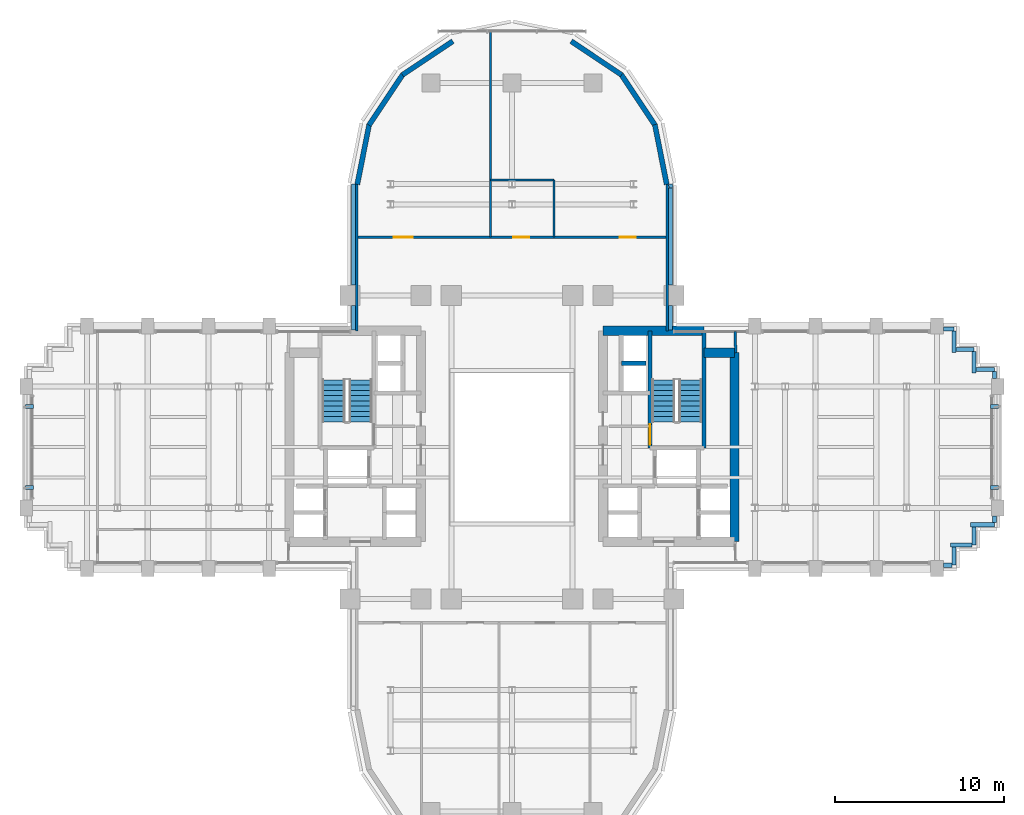
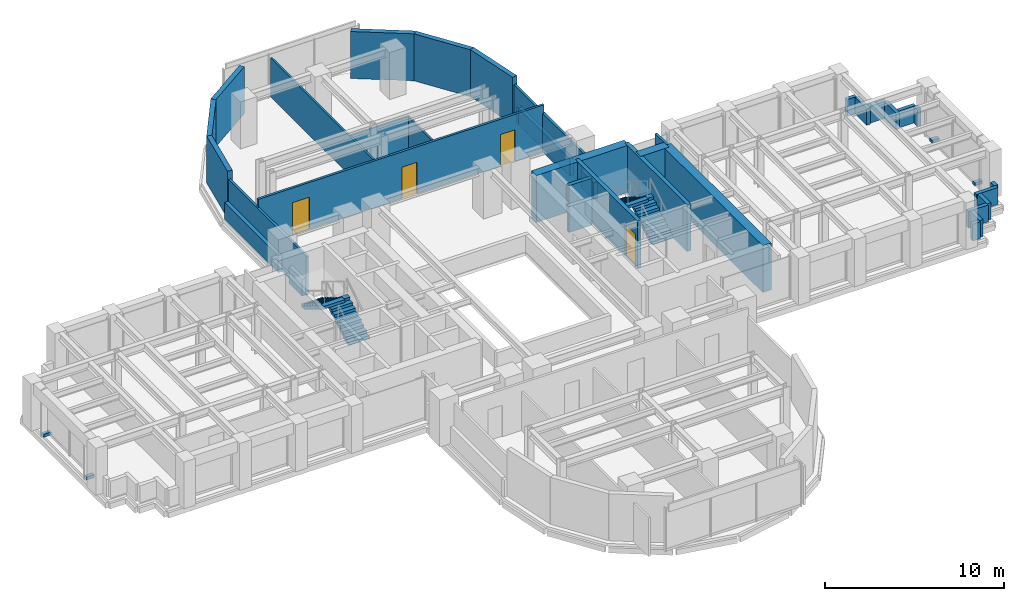
# One storey, part 12 of 16: 36 walls, 4 discrete accessories, 4 doors, 4 stair flights, 4 openings, 2 elements without a shape of their own.
"""IFC4 building model written with IfcOpenShell, lengths in metres."""

from ifc_helpers import new_model, si_unit, direction, frame, frame_2d, origin, origin_2d, place, context, subcontext, project, spatial, polyline, rectangle, outline, extrude, source, transform, mapped, material, layer, layer_set, type_object, element, fill, aggregate, save


model = new_model("IFC4")

# Units and contexts
model_context = context("Model", 3, precision=1e-05, world=origin(), true_north=direction((0.0, 1.0)))
body_context = subcontext(model_context, "Body", "Model", "MODEL_VIEW")
ifc_project = project(units=[si_unit("LENGTHUNIT", "METRE"), si_unit("AREAUNIT", "SQUARE_METRE"), si_unit("VOLUMEUNIT", "CUBIC_METRE"), si_unit("PLANEANGLEUNIT", "RADIAN"), si_unit("MASSUNIT", "GRAM", prefix="KILO")], contexts=[model_context])

# Site, building, storey
site_placement = place(None, origin())
site = spatial("IfcSite", under=ifc_project, at=site_placement, CompositionType="ELEMENT")
building_placement = place(site_placement, origin())
building = spatial("IfcBuilding", under=site, at=building_placement, Name="Keilestroom Media Tower", CompositionType="ELEMENT")
storey_placement = place(building_placement, frame((0.0, 0.0, 78.199951171875)))
storey = spatial("IfcBuildingStorey", under=building, at=storey_placement, Name="L20", CompositionType="ELEMENT", Elevation=78.199951171875)

# Walls
ifc_material_1 = material(Name="Precast concrete C40/50", Category="concrete")
ifc_layer_1 = layer(ifc_material_1, 0.300048828125)
ifc_layer_set_1 = layer_set([ifc_layer_1], Name="Precast concrete C40/50")
wall_type_1 = type_object("IfcWallType", Name="Exterior-Masonry-Spandrel-Wall-300", PredefinedType="SOLIDWALL", material=ifc_layer_set_1)
for number, where, z_axis, x_axis, name in (
    (1, (9.1748046875, 15.585205078125, 0.0), (0.0, 0.0, 1.0), (-0.195114232679, 0.980780523974, 0.0), "L20 Lobe Facet Precast Frame Wall 01"),
    (2, (8.48193359375, 19.097412109375, 0.0), (0.0, 0.0, 1.0), (-0.555574187116, 0.831466970246, 0.0), "L20 Lobe Facet Precast Frame Wall 02"),
):
    element("IfcWall", number, at=place(storey_placement, frame(where, z_axis=z_axis, x_axis=x_axis)), inside=storey, type_object=wall_type_1, Name=name, PredefinedType="SOLIDWALL", context=body_context, shape_type="SweptSolid", body=[
        extrude(rectangle(XDim=3.608642578125, YDim=0.300048828125, at=frame_2d((1.80419921875, 0.0))), origin(), (0.0, 0.0, 1.0), 3.199951171875),
    ])
for number, where, z_axis, x_axis, name in (
    (3, (6.497802734375, 22.0771484375, 0.0), (0.0, 0.0, 1.0), (-0.8314749531, 0.555562239868, 0.0), "L20 Lobe Facet Precast Frame Wall 03"),
    (4, (-3.510009765625, 24.073486328125, 0.0), (0.0, 0.0, 1.0), (-0.8314749531, -0.555562239868, 0.0), "L20 Lobe Facet Precast Frame Wall 04"),
):
    element("IfcWall", number, at=place(storey_placement, frame(where, z_axis=z_axis, x_axis=x_axis)), inside=storey, type_object=wall_type_1, Name=name, PredefinedType="SOLIDWALL", context=body_context, shape_type="SweptSolid", body=[
        extrude(rectangle(XDim=3.59326171875, YDim=0.300048828125, at=frame_2d((1.796630859375, 0.0))), origin(), (0.0, 0.0, 1.0), 3.199951171875),
    ])
for number, where, z_axis, x_axis, name in (
    (5, (-6.47705078125, 22.097900390625, 0.0), (0.0, 0.0, 1.0), (-0.555574187116, -0.831466970246, 0.0), "L20 Lobe Facet Precast Frame Wall 05"),
    (6, (-8.470703125, 19.12451171875, 0.0), (0.0, 0.0, 1.0), (-0.195114232679, -0.980780523974, 0.0), "L20 Lobe Facet Precast Frame Wall 06"),
):
    element("IfcWall", number, at=place(storey_placement, frame(where, z_axis=z_axis, x_axis=x_axis)), inside=storey, type_object=wall_type_1, Name=name, PredefinedType="SOLIDWALL", context=body_context, shape_type="SweptSolid", body=[
        extrude(rectangle(XDim=3.608642578125, YDim=0.300048828125, at=frame_2d((1.80419921875, 0.0))), origin(), (0.0, 0.0, 1.0), 3.199951171875),
    ])
ifc_material_2 = material(Name="Gypsum Plasterboard & Steel Stud", Category="steel")
ifc_layer_2 = layer(ifc_material_2, 0.1201171875)
ifc_layer_set_2 = layer_set([ifc_layer_2], Name="Gypsum Plasterboard & Steel Stud")
wall_type_2 = type_object("IfcWallType", Name="Interior-Partition-Wall-120", PredefinedType="PARTITIONING", material=ifc_layer_set_2)
wall_1_placement = place(storey_placement, frame((-1.280029296875, 12.449951171875, 0.0), z_axis=(0.0, 0.0, 1.0), x_axis=(0.0, 1.0, 0.0)))
element("IfcWall", 7, at=wall_1_placement, inside=storey, type_object=wall_type_2, Name="L20 Interior Wall WP-L20-NL-V1", PredefinedType="PARTITIONING", context=body_context, shape_type="SweptSolid", body=[
    extrude(rectangle(XDim=12.199951171875, YDim=0.1201171875, at=frame_2d((6.10009765625, 0.0))), origin(), (0.0, 0.0, 1.0), 2.650146484375),
])
wall_2_placement = place(storey_placement, frame((-1.280029296875, 15.85009765625, 0.0), z_axis=(0.0, 0.0, 1.0), x_axis=(1.0, 0.0, 0.0)))
element("IfcWall", 8, at=wall_2_placement, inside=storey, type_object=wall_type_2, Name="L20 Interior Wall WP-L20-NL-WC-N", PredefinedType="PARTITIONING", context=body_context, shape_type="SweptSolid", body=[
    extrude(rectangle(XDim=3.780029296875, YDim=0.1201171875, at=frame_2d((1.89013671875, 0.0))), origin(), (0.0, 0.0, 1.0), 2.699951171875),
])
wall_3_placement = place(storey_placement, frame((2.5, 12.449951171875, 0.0), z_axis=(0.0, 0.0, 1.0), x_axis=(0.0, 1.0, 0.0)))
element("IfcWall", 9, at=wall_3_placement, inside=storey, type_object=wall_type_2, Name="L20 Interior Wall WP-L20-NL-WC-E", PredefinedType="PARTITIONING", context=body_context, shape_type="SweptSolid", body=[
    extrude(rectangle(XDim=3.400146484375, YDim=0.1201171875, at=frame_2d((1.7001953125, 0.0))), origin(), (0.0, 0.0, 1.0), 2.650146484375),
])

# Wall, openings, doors
ifc_layer_3 = layer(ifc_material_2, 0.14990234375)
ifc_layer_set_3 = layer_set([ifc_layer_3], Name="Gypsum Plasterboard & Steel Stud")
wall_type_3 = type_object("IfcWallType", Name="Interior-Partition-Wall-150", PredefinedType="PARTITIONING", material=ifc_layer_set_3)
wall_4_placement = place(storey_placement, frame((-9.199951171875, 12.449951171875, 0.0), z_axis=(0.0, 0.0, 1.0), x_axis=(1.0, 0.0, 0.0)))
wall_4 = element("IfcWall", 10, at=wall_4_placement, inside=storey, type_object=wall_type_3, Name="L20 Interior Wall WP-L20-NL-BASE", PredefinedType="PARTITIONING", context=body_context, shape_type="SweptSolid", body=[
    extrude(rectangle(XDim=18.39990234375, YDim=0.14990234375, at=frame_2d((9.199951171875, 0.0))), origin(), (0.0, 0.0, 1.0), 3.199951171875),
])
opening_1_placement = place(wall_4_placement, frame((9.27001953125, 0.0, 0.0)))
opening_1 = element("IfcOpeningElement", 11, at=opening_1_placement, cuts=wall_4, Name="Opening DI-03", PredefinedType="OPENING", context=body_context, shape_type="SweptSolid", body=[
    extrude(rectangle(XDim=0.949951171875, YDim=2.14990234375, at=frame_2d((0.47509765625, 1.074951171875))), frame((0.0, 0.0849609375, 0.0), z_axis=(0.0, -1.0, 0.0), x_axis=(1.0, 0.0, 0.0)), (0.0, 0.0, 1.0), 0.169921875),
])
opening_2_placement = place(wall_4_placement, frame((2.199951171875, 0.0, 0.0)))
opening_2 = element("IfcOpeningElement", 12, at=opening_2_placement, cuts=wall_4, Name="Opening DI-04", PredefinedType="OPENING", context=body_context, shape_type="SweptSolid", body=[
    extrude(rectangle(XDim=1.10009765625, YDim=2.199951171875, at=frame_2d((0.550048828125, 1.10009765625))), frame((0.0, 0.0849609375, 0.0), z_axis=(0.0, -1.0, 0.0), x_axis=(1.0, 0.0, 0.0)), (0.0, 0.0, 1.0), 0.169921875),
])
opening_3_placement = place(wall_4_placement, frame((15.60009765625, 0.0, 0.0)))
opening_3 = element("IfcOpeningElement", 13, at=opening_3_placement, cuts=wall_4, Name="Opening DI-03", PredefinedType="OPENING", context=body_context, shape_type="SweptSolid", body=[
    extrude(rectangle(XDim=0.949951171875, YDim=2.14990234375, at=frame_2d((0.47509765625, 1.074951171875))), frame((0.0, 0.0849609375, 0.0), z_axis=(0.0, -1.0, 0.0), x_axis=(1.0, 0.0, 0.0)), (0.0, 0.0, 1.0), 0.169921875),
])
ifc_material_3 = material(Name="Lacquered European Oak Leaf", Category="wood")
door_type_1 = type_object("IfcDoorType", Name="Interior-Room-And-Suite-Door-DI-03", OperationType="NOTDEFINED", PredefinedType="DOOR", material=ifc_material_3)
shared_shape_1 = source(origin(), body_context, "Body", "SweptSolid", [
    extrude(rectangle(XDim=0.949951171875, YDim=2.14990234375, at=frame_2d((0.47509765625, 1.074951171875))), frame((0.0, 0.02490234375, 0.0), z_axis=(0.0, -1.0, 0.0), x_axis=(1.0, 0.0, 0.0)), (0.0, 0.0, 1.0), 0.050048828125),
])
door_1_placement = place(opening_1_placement, origin())
door_1 = element("IfcDoor", 14, at=door_1_placement, inside=storey, type_object=door_type_1, Name="L20 Interior Door DI-L20-DNL-WC", OperationType="SINGLE_SWING_LEFT", OverallHeight=2.14990234375, OverallWidth=0.949951171875, PredefinedType="DOOR", context=body_context, shape_type="MappedRepresentation", body=[
    mapped(shared_shape_1, transform((0.0, 0.0, 0.0), x_axis=(1.0, 0.0, 0.0), y_axis=(0.0, 1.0, 0.0), z_axis=(0.0, 0.0, 1.0), scale=1.0)),
])
fill(opening_1, door_1)
door_2_placement = place(opening_3_placement, origin())
door_2 = element("IfcDoor", 15, at=door_2_placement, inside=storey, type_object=door_type_1, Name="L20 Interior Door DI-L20-DNL-B", OperationType="SINGLE_SWING_LEFT", OverallHeight=2.14990234375, OverallWidth=0.949951171875, PredefinedType="DOOR", context=body_context, shape_type="MappedRepresentation", body=[
    mapped(shared_shape_1, transform((0.0, 0.0, 0.0), x_axis=(1.0, 0.0, 0.0), y_axis=(0.0, 1.0, 0.0), z_axis=(0.0, 0.0, 1.0), scale=1.0)),
])
fill(opening_3, door_2)
ifc_material_4 = material(Name="Acoustic Glazed Aluminium Leaf", Category="aluminium")
door_type_2 = type_object("IfcDoorType", Name="Interior-Room-And-Suite-Door-DI-04", OperationType="NOTDEFINED", PredefinedType="DOOR", material=ifc_material_4)
shared_shape_2 = source(origin(), body_context, "Body", "SweptSolid", [
    extrude(rectangle(XDim=1.10009765625, YDim=2.199951171875, at=frame_2d((0.550048828125, 1.10009765625))), frame((0.0, 0.02490234375, 0.0), z_axis=(0.0, -1.0, 0.0), x_axis=(1.0, 0.0, 0.0)), (0.0, 0.0, 1.0), 0.050048828125),
])
door_3_placement = place(opening_2_placement, origin())
door_3 = element("IfcDoor", 16, at=door_3_placement, inside=storey, type_object=door_type_2, Name="L20 Interior Door DI-L20-DNL-A", OperationType="SINGLE_SWING_RIGHT", OverallHeight=2.199951171875, OverallWidth=1.10009765625, PredefinedType="DOOR", context=body_context, shape_type="MappedRepresentation", body=[
    mapped(shared_shape_2, transform((0.0, 0.0, 0.0), x_axis=(1.0, 0.0, 0.0), y_axis=(0.0, 1.0, 0.0), z_axis=(0.0, 0.0, 1.0), scale=1.0)),
])
fill(opening_2, door_3)

# Walls
for number, where, z_axis, x_axis, name in (
    (17, (-9.199951171875, 6.89990234375, 0.0), (0.0, 0.0, 1.0), (0.0, 1.0, 0.0), "L20 Interior Wall WP-L20-NL-CHKW"),
    (18, (9.199951171875, 6.89990234375, 0.0), (0.0, 0.0, 1.0), (0.0, 1.0, 0.0), "L20 Interior Wall WP-L20-NL-CHKE"),
):
    element("IfcWall", number, at=place(storey_placement, frame(where, z_axis=z_axis, x_axis=x_axis)), inside=storey, type_object=wall_type_3, Name=name, PredefinedType="PARTITIONING", context=body_context, shape_type="SweptSolid", body=[
        extrude(rectangle(XDim=8.780029296875, YDim=0.14990234375, at=frame_2d((4.39013671875, 0.0))), origin(), (0.0, 0.0, 1.0), 2.650146484375),
    ])
wall_5_placement = place(storey_placement, frame((13.260009765625, 5.60009765625, 0.0), z_axis=(0.0, 0.0, 1.0), x_axis=(-0.016013571389, 0.999871774545, 0.0)))
element("IfcWall", 19, at=wall_5_placement, inside=storey, type_object=wall_type_3, Name="L20 Interior Wall WP-L20-EA-ENTN", PredefinedType="PARTITIONING", context=body_context, shape_type="SweptSolid", body=[
    extrude(rectangle(XDim=1.250244140625, YDim=0.14990234375, at=frame_2d((0.625, 0.0))), origin(), (0.0, 0.0, 1.0), 3.199951171875),
])
ifc_material_5 = material(Name="Concrete C70/85", Category="concrete")
ifc_layer_4 = layer(ifc_material_5, 0.550048828125)
ifc_layer_set_4 = layer_set([ifc_layer_4], Name="Concrete C70/85")
wall_type_4 = type_object("IfcWallType", Name="Reinforced-Concrete-Core-Shear-Wall-550", PredefinedType="SHEAR", material=ifc_layer_set_4)
wall_6_placement = place(storey_placement, frame((13.199951171875, -5.60009765625, 0.0), z_axis=(0.0, 0.0, 1.0), x_axis=(0.0, 1.0, 0.0)))
element("IfcWall", 20, at=wall_6_placement, inside=storey, type_object=wall_type_4, Name="L20 Core Shear Wall WL-L20-CORE-E-OUT", PredefinedType="SHEAR", context=body_context, shape_type="SweptSolid", body=[
    extrude(rectangle(XDim=11.2001953125, YDim=0.550048828125, at=frame_2d((5.60009765625, 0.0))), origin(), (0.0, 0.0, 1.0), 3.199951171875),
])
wall_7_placement = place(storey_placement, frame((5.39990234375, 6.89990234375, 0.0), z_axis=(0.0, 0.0, 1.0), x_axis=(1.0, 0.0, 0.0)))
element("IfcWall", 21, at=wall_7_placement, inside=storey, type_object=wall_type_4, Name="L20 Core Shear Wall WL-L20-CORE-E-N", PredefinedType="SHEAR", context=body_context, shape_type="SweptSolid", body=[
    extrude(rectangle(XDim=5.981201171875, YDim=0.550048828125, at=frame_2d((2.99072265625, 0.0))), origin(), (0.0, 0.0, 1.0), 3.199951171875),
])
wall_8_placement = place(storey_placement, frame((11.381103515625, 5.60009765625, 0.0), z_axis=(0.0, 0.0, 1.0), x_axis=(1.0, 0.0, 0.0)))
element("IfcWall", 22, at=wall_8_placement, inside=storey, type_object=wall_type_4, Name="L20 Core Shear Wall WL-L20-CNE-N", PredefinedType="SHEAR", context=body_context, shape_type="SweptSolid", body=[
    extrude(rectangle(XDim=1.81884765625, YDim=0.550048828125, at=frame_2d((0.909423828125, 0.0))), origin(), (0.0, 0.0, 1.0), 3.199951171875),
])

# Wall, opening, door
ifc_material_6 = material(Name="Concrete C50/60", Category="concrete")
ifc_layer_5 = layer(ifc_material_6, 0.25)
ifc_layer_set_5 = layer_set([ifc_layer_5], Name="Concrete C50/60")
wall_type_5 = type_object("IfcWallType", Name="Reinforced-Concrete-Shaft-Wall-250", PredefinedType="SOLIDWALL", material=ifc_layer_set_5)
wall_9_placement = place(storey_placement, frame((8.178955078125, -0.041015625, 0.0), z_axis=(0.0, 0.0, 1.0), x_axis=(0.0, 1.0, 0.0)))
wall_9 = element("IfcWall", 23, at=wall_9_placement, inside=storey, type_object=wall_type_5, Name="L20 Core Shear Wall WL-L20-STW-E-NEAR", PredefinedType="SOLIDWALL", context=body_context, shape_type="SweptSolid", body=[
    extrude(rectangle(XDim=6.94091796875, YDim=0.25, at=frame_2d((3.470458984375, 0.0))), origin(), (0.0, 0.0, 1.0), 3.199951171875),
])
opening_4_placement = place(wall_9_placement, frame((0.199951171875, 0.0, 0.0)))
opening_4 = element("IfcOpeningElement", 24, at=opening_4_placement, cuts=wall_9, Name="Opening DI-01S", PredefinedType="OPENING", context=body_context, shape_type="SweptSolid", body=[
    extrude(rectangle(XDim=1.199951171875, YDim=2.199951171875, at=frame_2d((0.60009765625, 1.10009765625))), frame((0.0, 0.135009765625, 0.0), z_axis=(0.0, -1.0, 0.0), x_axis=(1.0, 0.0, 0.0)), (0.0, 0.0, 1.0), 0.27001953125),
])
ifc_material_7 = material(Name="Powder-Coated Steel Fire Leaf", Category="steel")
door_type_3 = type_object("IfcDoorType", Name="Interior-Stair-And-Core-Fire-Door-DI-01", OperationType="NOTDEFINED", PredefinedType="DOOR", material=ifc_material_7)
shared_shape_3 = source(origin(), body_context, "Body", "SweptSolid", [
    extrude(rectangle(XDim=1.199951171875, YDim=2.199951171875, at=frame_2d((0.60009765625, 1.10009765625))), frame((0.0, 0.02490234375, 0.0), z_axis=(0.0, -1.0, 0.0), x_axis=(1.0, 0.0, 0.0)), (0.0, 0.0, 1.0), 0.050048828125),
])
door_4_placement = place(opening_4_placement, origin())
door_4 = element("IfcDoor", 25, at=door_4_placement, inside=storey, type_object=door_type_3, Name="L20 Escape Stair ST-2 Fire Door", OperationType="SINGLE_SWING_RIGHT", OverallHeight=2.199951171875, OverallWidth=1.199951171875, PredefinedType="DOOR", context=body_context, shape_type="MappedRepresentation", body=[
    mapped(shared_shape_3, transform((0.0, 0.0, 0.0), x_axis=(1.0, 0.0, 0.0), y_axis=(0.0, 1.0, 0.0), z_axis=(0.0, 0.0, 1.0), scale=1.0)),
])
fill(opening_4, door_4)

# Walls
wall_10_placement = place(storey_placement, frame((11.381103515625, -0.041015625, 0.0), z_axis=(0.0, 0.0, 1.0), x_axis=(0.0, 1.0, 0.0)))
element("IfcWall", 26, at=wall_10_placement, inside=storey, type_object=wall_type_5, Name="L20 Core Shear Wall WL-L20-STW-E-FAR", PredefinedType="SOLIDWALL", context=body_context, shape_type="SweptSolid", body=[
    extrude(rectangle(XDim=6.94091796875, YDim=0.25, at=frame_2d((3.470458984375, 0.0))), origin(), (0.0, 0.0, 1.0), 3.199951171875),
])
wall_11_placement = place(storey_placement, frame((6.47998046875, 4.97998046875, 0.0), z_axis=(0.0, 0.0, 1.0), x_axis=(1.0, 0.0, 0.0)))
element("IfcWall", 27, at=wall_11_placement, inside=storey, type_object=wall_type_5, Name="L20 Core Shear Wall WL-L20-LSH-PL-H3-N", PredefinedType="SOLIDWALL", context=body_context, shape_type="SweptSolid", body=[
    extrude(rectangle(XDim=1.469970703125, YDim=0.25, at=frame_2d((0.73486328125, 0.0))), origin(), (0.0, 0.0, 1.0), 3.199951171875),
])
ifc_layer_6 = layer(ifc_material_1, 0.239990234375)
ifc_layer_set_6 = layer_set([ifc_layer_6], Name="Precast concrete C40/50")
wall_type_6 = type_object("IfcWallType", Name="Roof-And-Terrace-Parapet-Wall-240", PredefinedType="PARAPET", material=ifc_layer_set_6)
wall_12_placement = place(storey_placement, frame((28.60009765625, -4.60009765625, 0.0), z_axis=(0.0, 0.0, 1.0), x_axis=(-1.0, 0.0, 0.0)))
element("IfcWall", 28, at=wall_12_placement, inside=storey, type_object=wall_type_6, Name="L20 Perimeter Edge Parapet Wall 01", PredefinedType="PARAPET", context=body_context, shape_type="SweptSolid", body=[
    extrude(rectangle(XDim=1.400146484375, YDim=0.239990234375, at=frame_2d((0.7001953125, 0.0))), origin(), (0.0, 0.0, 1.0), 1.150146484375),
])
wall_13_placement = place(storey_placement, frame((27.39990234375, -4.722900390625, 0.0), z_axis=(0.0, 0.0, 1.0), x_axis=(0.0, -1.0, 0.0)))
element("IfcWall", 29, at=wall_13_placement, inside=storey, type_object=wall_type_6, Name="L20 Perimeter Edge Parapet Wall 02", PredefinedType="PARAPET", context=body_context, shape_type="SweptSolid", body=[
    extrude(rectangle(XDim=1.0771484375, YDim=0.239990234375, at=frame_2d((0.53857421875, 0.0))), origin(), (0.0, 0.0, 1.0), 1.150146484375),
])
wall_14_placement = place(storey_placement, frame((27.277099609375, -5.800048828125, 0.0), z_axis=(0.0, 0.0, 1.0), x_axis=(-1.0, 0.0, 0.0)))
element("IfcWall", 30, at=wall_14_placement, inside=storey, type_object=wall_type_6, Name="L20 Perimeter Edge Parapet Wall 03", PredefinedType="PARAPET", context=body_context, shape_type="SweptSolid", body=[
    extrude(rectangle(XDim=1.277099609375, YDim=0.239990234375, at=frame_2d((0.638671875, 0.0))), origin(), (0.0, 0.0, 1.0), 1.150146484375),
])
wall_15_placement = place(storey_placement, frame((26.199951171875, -5.923095703125, 0.0), z_axis=(0.0, 0.0, 1.0), x_axis=(0.0, -1.0, 0.0)))
element("IfcWall", 31, at=wall_15_placement, inside=storey, type_object=wall_type_6, Name="L20 Perimeter Edge Parapet Wall 04", PredefinedType="PARAPET", context=body_context, shape_type="SweptSolid", body=[
    extrude(rectangle(XDim=1.076904296875, YDim=0.239990234375, at=frame_2d((0.53857421875, 0.0))), origin(), (0.0, 0.0, 1.0), 1.150146484375),
])
wall_16_placement = place(storey_placement, frame((26.076904296875, -7.0, 0.0), z_axis=(0.0, 0.0, 1.0), x_axis=(-1.0, 0.0, 0.0)))
element("IfcWall", 32, at=wall_16_placement, inside=storey, type_object=wall_type_6, Name="L20 Perimeter Edge Parapet Wall 05", PredefinedType="PARAPET", context=body_context, shape_type="SweptSolid", body=[
    extrude(rectangle(XDim=0.4990234375, YDim=0.239990234375, at=frame_2d((0.24951171875, 0.0))), origin(), (0.0, 0.0, 1.0), 1.150146484375),
])
wall_17_placement = place(storey_placement, frame((-9.39990234375, 6.952880859375, 0.0), z_axis=(0.0, 0.0, 1.0), x_axis=(0.0, 1.0, 0.0)))
element("IfcWall", 33, at=wall_17_placement, inside=storey, type_object=wall_type_6, Name="L20 Perimeter Edge Parapet Wall 24", PredefinedType="PARAPET", context=body_context, shape_type="SweptSolid", body=[
    extrude(rectangle(XDim=1.444091796875, YDim=0.239990234375, at=frame_2d((0.72216796875, 0.0))), origin(), (0.0, 0.0, 1.0), 1.150146484375),
])
wall_18_placement = place(storey_placement, frame((-9.39990234375, 9.60302734375, 0.0), z_axis=(0.0, 0.0, 1.0), x_axis=(0.0, 1.0, 0.0)))
element("IfcWall", 34, at=wall_18_placement, inside=storey, type_object=wall_type_6, Name="L20 Perimeter Edge Parapet Wall 25", PredefinedType="PARAPET", context=body_context, shape_type="SweptSolid", body=[
    extrude(rectangle(XDim=5.999755859375, YDim=0.239990234375, at=frame_2d((3.0, 0.0))), origin(), (0.0, 0.0, 1.0), 1.150146484375),
])
wall_19_placement = place(storey_placement, frame((9.395263671875, 15.604248046875, 0.0), z_axis=(0.0, 0.0, 1.0), x_axis=(0.194652052864, -0.980872355771, 0.0)))
element("IfcWall", 35, at=wall_19_placement, inside=storey, type_object=wall_type_6, Name="L20 Perimeter Edge Parapet Wall 26", PredefinedType="PARAPET", context=body_context, shape_type="SweptSolid", body=[
    extrude(rectangle(XDim=0.224609375, YDim=0.239990234375, at=frame_2d((0.1123046875, 0.0))), origin(), (0.0, 0.0, 1.0), 1.150146484375),
])
wall_20_placement = place(storey_placement, frame((9.39990234375, 15.357666015625, 0.0), z_axis=(0.0, 0.0, 1.0), x_axis=(0.0, -1.0, 0.0)))
element("IfcWall", 36, at=wall_20_placement, inside=storey, type_object=wall_type_6, Name="L20 Perimeter Edge Parapet Wall 27", PredefinedType="PARAPET", context=body_context, shape_type="SweptSolid", body=[
    extrude(rectangle(XDim=5.754638671875, YDim=0.239990234375, at=frame_2d((2.87744140625, 0.0))), origin(), (0.0, 0.0, 1.0), 1.150146484375),
])
wall_21_placement = place(storey_placement, frame((9.39990234375, 8.39697265625, 0.0), z_axis=(0.0, 0.0, 1.0), x_axis=(0.0, -1.0, 0.0)))
element("IfcWall", 37, at=wall_21_placement, inside=storey, type_object=wall_type_6, Name="L20 Perimeter Edge Parapet Wall 28", PredefinedType="PARAPET", context=body_context, shape_type="SweptSolid", body=[
    extrude(rectangle(XDim=1.444091796875, YDim=0.239990234375, at=frame_2d((0.72216796875, 0.0))), origin(), (0.0, 0.0, 1.0), 1.150146484375),
])
wall_22_placement = place(storey_placement, frame((25.577880859375, 7.0, 0.0), z_axis=(0.0, 0.0, 1.0), x_axis=(1.0, 0.0, 0.0)))
element("IfcWall", 38, at=wall_22_placement, inside=storey, type_object=wall_type_6, Name="L20 Perimeter Edge Parapet Wall 29", PredefinedType="PARAPET", context=body_context, shape_type="SweptSolid", body=[
    extrude(rectangle(XDim=0.6220703125, YDim=0.239990234375, at=frame_2d((0.31103515625, 0.0))), origin(), (0.0, 0.0, 1.0), 1.150146484375),
])
wall_23_placement = place(storey_placement, frame((26.199951171875, 6.876953125, 0.0), z_axis=(0.0, 0.0, 1.0), x_axis=(0.0, -1.0, 0.0)))
element("IfcWall", 39, at=wall_23_placement, inside=storey, type_object=wall_type_6, Name="L20 Perimeter Edge Parapet Wall 30", PredefinedType="PARAPET", context=body_context, shape_type="SweptSolid", body=[
    extrude(rectangle(XDim=1.27685546875, YDim=0.239990234375, at=frame_2d((0.638427734375, 0.0))), origin(), (0.0, 0.0, 1.0), 1.150146484375),
])
wall_24_placement = place(storey_placement, frame((26.322998046875, 5.800048828125, 0.0), z_axis=(0.0, 0.0, 1.0), x_axis=(1.0, 0.0, 0.0)))
element("IfcWall", 40, at=wall_24_placement, inside=storey, type_object=wall_type_6, Name="L20 Perimeter Edge Parapet Wall 31", PredefinedType="PARAPET", context=body_context, shape_type="SweptSolid", body=[
    extrude(rectangle(XDim=1.076904296875, YDim=0.239990234375, at=frame_2d((0.53857421875, 0.0))), origin(), (0.0, 0.0, 1.0), 1.150146484375),
])
wall_25_placement = place(storey_placement, frame((27.39990234375, 5.677001953125, 0.0), z_axis=(0.0, 0.0, 1.0), x_axis=(0.0, -1.0, 0.0)))
element("IfcWall", 41, at=wall_25_placement, inside=storey, type_object=wall_type_6, Name="L20 Perimeter Edge Parapet Wall 32", PredefinedType="PARAPET", context=body_context, shape_type="SweptSolid", body=[
    extrude(rectangle(XDim=1.277099609375, YDim=0.239990234375, at=frame_2d((0.638671875, 0.0))), origin(), (0.0, 0.0, 1.0), 1.150146484375),
])
wall_26_placement = place(storey_placement, frame((27.52294921875, 4.60009765625, 0.0), z_axis=(0.0, 0.0, 1.0), x_axis=(1.0, 0.0, 0.0)))
element("IfcWall", 42, at=wall_26_placement, inside=storey, type_object=wall_type_6, Name="L20 Perimeter Edge Parapet Wall 33", PredefinedType="PARAPET", context=body_context, shape_type="SweptSolid", body=[
    extrude(rectangle(XDim=1.0771484375, YDim=0.239990234375, at=frame_2d((0.53857421875, 0.0))), origin(), (0.0, 0.0, 1.0), 1.150146484375),
])
for number, where, z_axis, x_axis, name in (
    (43, (28.60009765625, 4.47705078125, 0.0), (0.0, 0.0, 1.0), (0.0, -1.0, 0.0), "L20 Perimeter Edge Parapet Wall 34"),
    (44, (28.60009765625, -4.077880859375, 0.0), (0.0, 0.0, 1.0), (0.0, -1.0, 0.0), "L20 Perimeter Edge Parapet Wall 35"),
):
    element("IfcWall", number, at=place(storey_placement, frame(where, z_axis=z_axis, x_axis=x_axis)), inside=storey, type_object=wall_type_6, Name=name, PredefinedType="PARAPET", context=body_context, shape_type="SweptSolid", body=[
        extrude(rectangle(XDim=0.399169921875, YDim=0.239990234375, at=frame_2d((0.19970703125, 0.0))), origin(), (0.0, 0.0, 1.0), 1.150146484375),
    ])

# Stair, stair flights
ifc_material_8 = material(Name="Concrete C45/55", Category="concrete")
stair_type = type_object("IfcStairType", Name="Enclosed-Dog-Leg-Stair-ST-CORE", PredefinedType="HALF_TURN_STAIR", material=ifc_material_8)
stair_1_placement = place(storey_placement, origin())
stair_1 = element("IfcStair", 45, at=stair_1_placement, inside=storey, type_object=stair_type, Name="L20 West Core Escape Stair ST-1", PredefinedType="HALF_TURN_STAIR")
stair_flight_type = type_object("IfcStairFlightType", Name="Precast-Concrete-Stair-Flight-Core-160", PredefinedType="STRAIGHT", material=ifc_material_1)
stair_flight_1_placement = place(storey_placement, frame((-8.97998046875, 1.5, 0.0), z_axis=(0.0, 0.0, 1.0), x_axis=(0.0, 1.0, 0.0)))
stair_flight_1 = element("IfcStairFlight", 46, at=stair_flight_1_placement, type_object=stair_flight_type, Name="ST-1 flight 1", NumberOfRisers=9, NumberOfTreads=8, PredefinedType="STRAIGHT", RiserHeight=0.188888889, TreadLength=0.312, context=body_context, shape_type="SweptSolid", body=[
    extrude(outline(polyline([(0.0, 0.0), (0.0, 0.18896484375), (0.31201171875, 0.18896484375), (0.31201171875, 0.377685546875), (0.6240234375, 0.377685546875), (0.6240234375, 0.566650390625), (0.93603515625, 0.566650390625), (0.93603515625, 0.755615234375), (1.248046875, 0.755615234375), (1.248046875, 0.9443359375), (1.56005859375, 0.9443359375), (1.56005859375, 1.13330078125), (1.8720703125, 1.13330078125), (1.8720703125, 1.322265625), (2.18408203125, 1.322265625), (2.18408203125, 1.51123046875), (2.49609375, 1.51123046875), (2.49609375, 1.699951171875), (2.49609375, 1.32421875), (0.308837890625, 0.0), (0.0, 0.0)])), frame((0.0, 0.68017578125, 0.0), z_axis=(0.0, -1.0, 0.0), x_axis=(1.0, 0.0, 0.0)), (0.0, 0.0, 1.0), 1.360107421875),
])
stair_flight_2_placement = place(storey_placement, frame((-10.580078125, 3.99609375, 1.699951171875), z_axis=(0.0, 0.0, 1.0), x_axis=(0.0, -1.0, 0.0)))
stair_flight_2 = element("IfcStairFlight", 47, at=stair_flight_2_placement, type_object=stair_flight_type, Name="ST-1 flight 2", NumberOfRisers=9, NumberOfTreads=8, PredefinedType="STRAIGHT", RiserHeight=0.188888889, TreadLength=0.312, context=body_context, shape_type="SweptSolid", body=[
    extrude(outline(polyline([(0.0, 0.0), (0.0, 0.18896484375), (0.31201171875, 0.18896484375), (0.31201171875, 0.377685546875), (0.6240234375, 0.377685546875), (0.6240234375, 0.566650390625), (0.93603515625, 0.566650390625), (0.93603515625, 0.755615234375), (1.248046875, 0.755615234375), (1.248046875, 0.9443359375), (1.56005859375, 0.9443359375), (1.56005859375, 1.13330078125), (1.8720703125, 1.13330078125), (1.8720703125, 1.322265625), (2.18408203125, 1.322265625), (2.18408203125, 1.51123046875), (2.49609375, 1.51123046875), (2.49609375, 1.699951171875), (2.49609375, 1.32421875), (0.308837890625, 0.0), (0.0, 0.0)])), frame((0.0, 0.68017578125, 0.0), z_axis=(0.0, -1.0, 0.0), x_axis=(1.0, 0.0, 0.0)), (0.0, 0.0, 1.0), 1.360107421875),
])
aggregate(stair_1, [stair_flight_1, stair_flight_2])

stair_2_placement = place(storey_placement, origin())
stair_2 = element("IfcStair", 48, at=stair_2_placement, inside=storey, type_object=stair_type, Name="L20 East Core Escape Stair ST-2", PredefinedType="HALF_TURN_STAIR")
stair_flight_3_placement = place(storey_placement, frame((10.580078125, 1.5, 0.0), z_axis=(0.0, 0.0, 1.0), x_axis=(0.0, 1.0, 0.0)))
stair_flight_3 = element("IfcStairFlight", 49, at=stair_flight_3_placement, type_object=stair_flight_type, Name="ST-2 flight 1", NumberOfRisers=9, NumberOfTreads=8, PredefinedType="STRAIGHT", RiserHeight=0.188888889, TreadLength=0.312, context=body_context, shape_type="SweptSolid", body=[
    extrude(outline(polyline([(0.0, 0.0), (0.0, 0.18896484375), (0.31201171875, 0.18896484375), (0.31201171875, 0.377685546875), (0.6240234375, 0.377685546875), (0.6240234375, 0.566650390625), (0.93603515625, 0.566650390625), (0.93603515625, 0.755615234375), (1.248046875, 0.755615234375), (1.248046875, 0.9443359375), (1.56005859375, 0.9443359375), (1.56005859375, 1.13330078125), (1.8720703125, 1.13330078125), (1.8720703125, 1.322265625), (2.18408203125, 1.322265625), (2.18408203125, 1.51123046875), (2.49609375, 1.51123046875), (2.49609375, 1.699951171875), (2.49609375, 1.32421875), (0.308837890625, 0.0), (0.0, 0.0)])), frame((0.0, 0.68017578125, 0.0), z_axis=(0.0, -1.0, 0.0), x_axis=(1.0, 0.0, 0.0)), (0.0, 0.0, 1.0), 1.360107421875),
])
stair_flight_4_placement = place(storey_placement, frame((8.97998046875, 3.99609375, 1.699951171875), z_axis=(0.0, 0.0, 1.0), x_axis=(0.0, -1.0, 0.0)))
stair_flight_4 = element("IfcStairFlight", 50, at=stair_flight_4_placement, type_object=stair_flight_type, Name="ST-2 flight 2", NumberOfRisers=9, NumberOfTreads=8, PredefinedType="STRAIGHT", RiserHeight=0.188888889, TreadLength=0.312, context=body_context, shape_type="SweptSolid", body=[
    extrude(outline(polyline([(0.0, 0.0), (0.0, 0.18896484375), (0.31201171875, 0.18896484375), (0.31201171875, 0.377685546875), (0.6240234375, 0.377685546875), (0.6240234375, 0.566650390625), (0.93603515625, 0.566650390625), (0.93603515625, 0.755615234375), (1.248046875, 0.755615234375), (1.248046875, 0.9443359375), (1.56005859375, 0.9443359375), (1.56005859375, 1.13330078125), (1.8720703125, 1.13330078125), (1.8720703125, 1.322265625), (2.18408203125, 1.322265625), (2.18408203125, 1.51123046875), (2.49609375, 1.51123046875), (2.49609375, 1.699951171875), (2.49609375, 1.32421875), (0.308837890625, 0.0), (0.0, 0.0)])), frame((0.0, 0.68017578125, 0.0), z_axis=(0.0, -1.0, 0.0), x_axis=(1.0, 0.0, 0.0)), (0.0, 0.0, 1.0), 1.360107421875),
])
aggregate(stair_2, [stair_flight_3, stair_flight_4])

# Discrete accessories
ifc_material_9 = material(Name="Stainless Steel 1.4401", Category="steel")
discrete_accessory_type = type_object("IfcDiscreteAccessoryType", Name="Facade-Fin-Fixing-Bracket-BRK-1", PredefinedType="BRACKET", material=ifc_material_9)
shared_shape_4 = source(origin(), body_context, "Body", "SweptSolid", [
    extrude(rectangle(XDim=0.47998046875, YDim=0.239990234375, at=origin_2d()), origin(), (0.0, 0.0, 1.0), 0.199951171875),
])
for number, where, z_axis, x_axis, name in (
    (51, (-28.610107421875, -2.39990234375, -0.009765625), (0.0, 0.0, 1.0), (1.0, 0.0, 0.0), "L20 Sunshade Fin Bracket BRK-1 025"),
    (52, (-28.610107421875, 2.39990234375, -0.009765625), (0.0, 0.0, 1.0), (1.0, 0.0, 0.0), "L20 Sunshade Fin Bracket BRK-1 026"),
    (53, (28.610107421875, -2.39990234375, -0.009765625), (0.0, 0.0, 1.0), (1.0, 0.0, 0.0), "L20 Sunshade Fin Bracket BRK-1 027"),
    (54, (28.610107421875, 2.39990234375, -0.009765625), (0.0, 0.0, 1.0), (1.0, 0.0, 0.0), "L20 Sunshade Fin Bracket BRK-1 028"),
):
    element("IfcDiscreteAccessory", number, at=place(storey_placement, frame(where, z_axis=z_axis, x_axis=x_axis)), inside=storey, type_object=discrete_accessory_type, Name=name, PredefinedType="BRACKET", context=body_context, shape_type="MappedRepresentation", body=[
        mapped(shared_shape_4, transform((0.0, 0.0, 0.0), x_axis=(1.0, 0.0, 0.0), y_axis=(0.0, 1.0, 0.0), z_axis=(0.0, 0.0, 1.0), scale=1.0)),
    ])

save(model, "model.ifc")
